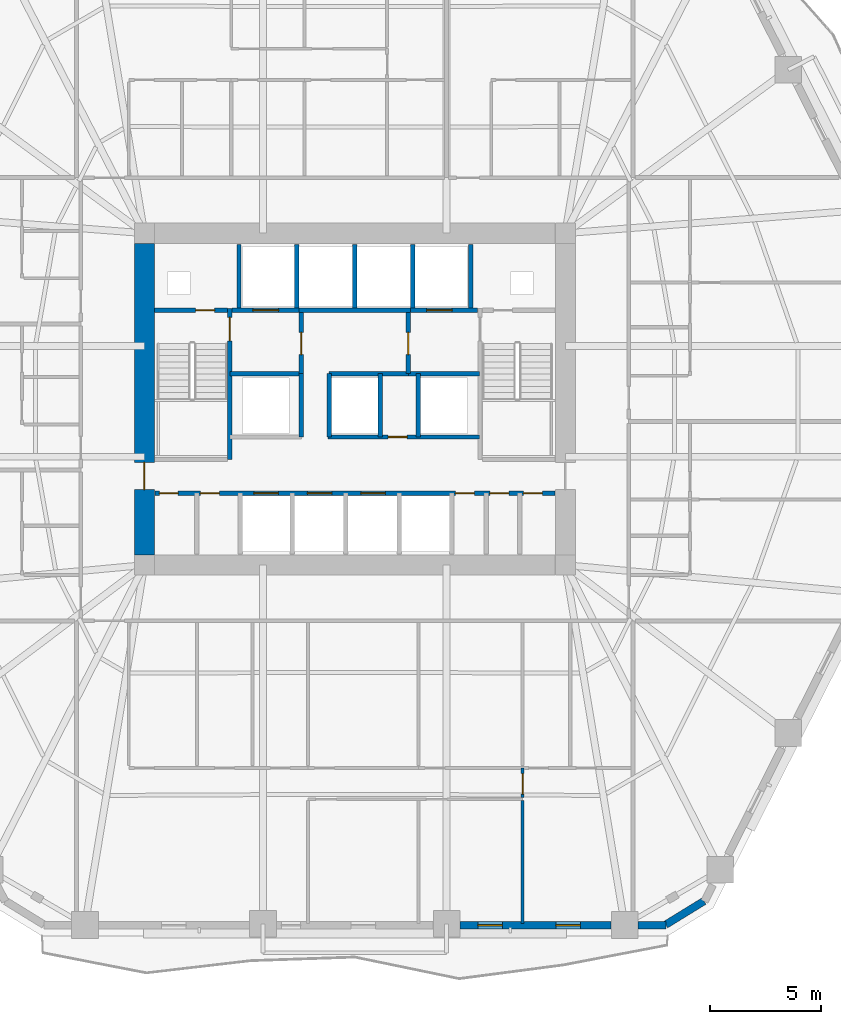
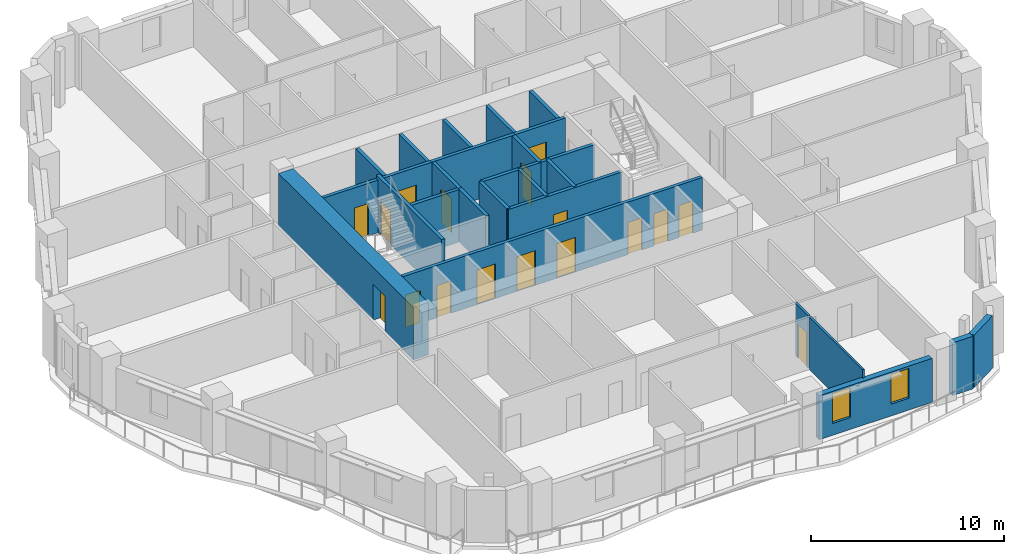
# One storey, part 5 of 14: 27 walls, 17 doors, 2 windows, 19 openings.
"""IFC4 building model written with IfcOpenShell, lengths in metres."""

from ifc_helpers import new_model, si_unit, direction, frame, frame_2d, origin, place, context, subcontext, project, spatial, rectangle, extrude, material, layer, layer_set, type_object, element, fill, save


model = new_model("IFC4")

# Units and contexts
model_context = context("Model", 3, precision=1e-05, world=origin(), true_north=direction((0.0, 1.0)))
body_context = subcontext(model_context, "Body", "Model", "MODEL_VIEW")
ifc_project = project(units=[si_unit("LENGTHUNIT", "METRE"), si_unit("AREAUNIT", "SQUARE_METRE"), si_unit("VOLUMEUNIT", "CUBIC_METRE"), si_unit("PLANEANGLEUNIT", "RADIAN"), si_unit("MASSUNIT", "GRAM", prefix="KILO")], contexts=[model_context])

# Site, building, storey
site_placement = place(None, origin())
site = spatial("IfcSite", under=ifc_project, at=site_placement, CompositionType="ELEMENT")
building_placement = place(site_placement, origin())
building = spatial("IfcBuilding", under=site, at=building_placement, Name="Cinnabar Lancet Tower", CompositionType="ELEMENT")
storey_placement = place(building_placement, frame((0.0, 0.0, 67.5)))
storey = spatial("IfcBuildingStorey", under=building, at=storey_placement, Name="L17", CompositionType="ELEMENT", Elevation=67.5)

# Wall, opening, door
ifc_material_1 = material(Name="Autoclaved aerated concrete blockwork", Category="masonry")
ifc_layer_1 = layer(ifc_material_1, 0.199951171875)
ifc_layer_set_1 = layer_set([ifc_layer_1], Name="Autoclaved aerated concrete blockwork")
wall_type_1 = type_object("IfcWallType", Name="ARC-WL-SHAFT-200", PredefinedType="PLUMBINGWALL", material=ifc_layer_set_1)
wall_1_placement = place(storey_placement, frame((23.405029296875, 29.89990234375, 0.0), z_axis=(0.0, 0.0, 1.0), x_axis=(1.0, 0.0, 0.0)))
wall_1 = element("IfcWall", 1, at=wall_1_placement, inside=storey, type_object=wall_type_1, Name="CW-NSH-W-L17", PredefinedType="PLUMBINGWALL", context=body_context, shape_type="SweptSolid", body=[
    extrude(rectangle(XDim=3.27001953125, YDim=0.199951171875, at=frame_2d((1.635009765625, 0.0))), origin(), (0.0, 0.0, 1.0), 3.330078125),
])
opening_1_placement = place(wall_1_placement, frame((1.85009765625, 0.0, 0.0)))
opening_1 = element("IfcOpeningElement", 2, at=opening_1_placement, cuts=wall_1, Name="Opening PD-02", PredefinedType="OPENING", context=body_context, shape_type="SweptSolid", body=[
    extrude(rectangle(XDim=0.85009765625, YDim=2.050048828125, at=frame_2d((0.425048828125, 1.02490234375))), frame((0.0, 0.10986328125, 0.0), z_axis=(0.0, -1.0, 0.0), x_axis=(1.0, 0.0, 0.0)), (0.0, 0.0, 1.0), 0.219970703125),
])
ifc_material_2 = material(Name="Fire-rated steel riser access door", Category="steel")
door_type_1 = type_object("IfcDoorType", Name="ARC-DR-RISER", OperationType="NOTDEFINED", PredefinedType="DOOR", material=ifc_material_2)
door_1_placement = place(opening_1_placement, origin())
door_1 = element("IfcDoor", 3, at=door_1_placement, inside=storey, type_object=door_type_1, Name="L17 West Riser Access Door", OperationType="SINGLE_SWING_LEFT", OverallHeight=2.050048828125, OverallWidth=0.85009765625, PredefinedType="DOOR", context=body_context, shape_type="SweptSolid", body=[
    extrude(rectangle(XDim=0.85009765625, YDim=2.050048828125, at=frame_2d((0.425048828125, 1.02490234375))), frame((0.0, 0.02490234375, 0.0), z_axis=(0.0, -1.0, 0.0), x_axis=(1.0, 0.0, 0.0)), (0.0, 0.0, 1.0), 0.050048828125),
])
fill(opening_1, door_1)

wall_2_placement = place(storey_placement, frame((26.885009765625, 29.89990234375, 0.0), z_axis=(0.0, 0.0, 1.0), x_axis=(1.0, 0.0, 0.0)))
wall_2 = element("IfcWall", 4, at=wall_2_placement, inside=storey, type_object=wall_type_1, Name="CW-FL1-L17", PredefinedType="PLUMBINGWALL", context=body_context, shape_type="SweptSolid", body=[
    extrude(rectangle(XDim=3.014892578125, YDim=0.199951171875, at=frame_2d((1.50732421875, 0.0))), origin(), (0.0, 0.0, 1.0), 3.330078125),
])
opening_2_placement = place(wall_2_placement, frame((0.93994140625, 0.0, 0.0)))
opening_2 = element("IfcOpeningElement", 5, at=opening_2_placement, cuts=wall_2, Name="Opening LD-02", PredefinedType="OPENING", context=body_context, shape_type="SweptSolid", body=[
    extrude(rectangle(XDim=1.14990234375, YDim=2.199951171875, at=frame_2d((0.574951171875, 1.10009765625))), frame((0.0, 0.10986328125, 0.0), z_axis=(0.0, -1.0, 0.0), x_axis=(1.0, 0.0, 0.0)), (0.0, 0.0, 1.0), 0.219970703125),
])
ifc_material_3 = material(Name="Fire-rated stainless steel firefighting lift landing door", Category="steel")
door_type_2 = type_object("IfcDoorType", Name="ARC-DR-LD-FIRE", OperationType="NOTDEFINED", PredefinedType="DOOR", material=ifc_material_3)
door_2_placement = place(opening_2_placement, origin())
door_2 = element("IfcDoor", 6, at=door_2_placement, inside=storey, type_object=door_type_2, Name="L17 Firefighting Lift FL-1 Landing Door", OperationType="DOUBLE_DOOR_SLIDING", OverallHeight=2.199951171875, OverallWidth=1.14990234375, PredefinedType="DOOR", context=body_context, shape_type="SweptSolid", body=[
    extrude(rectangle(XDim=1.14990234375, YDim=2.199951171875, at=frame_2d((0.574951171875, 1.10009765625))), frame((0.0, 0.02490234375, 0.0), z_axis=(0.0, -1.0, 0.0), x_axis=(1.0, 0.0, 0.0)), (0.0, 0.0, 1.0), 0.050048828125),
])
fill(opening_2, door_2)

# Wall
wall_3_placement = place(storey_placement, frame((29.89990234375, 29.89990234375, 0.0), z_axis=(0.0, 0.0, 1.0), x_axis=(1.0, 0.0, 0.0)))
element("IfcWall", 7, at=wall_3_placement, inside=storey, type_object=wall_type_1, Name="CW-PL78-L17", PredefinedType="PLUMBINGWALL", context=body_context, shape_type="SweptSolid", body=[
    extrude(rectangle(XDim=5.0, YDim=0.199951171875, at=frame_2d((2.5, 0.0))), origin(), (0.0, 0.0, 1.0), 3.330078125),
])

# Wall, opening, door
wall_4_placement = place(storey_placement, frame((34.89990234375, 29.89990234375, 0.0), z_axis=(0.0, 0.0, 1.0), x_axis=(1.0, 0.0, 0.0)))
wall_4 = element("IfcWall", 8, at=wall_4_placement, inside=storey, type_object=wall_type_1, Name="CW-FL2-L17", PredefinedType="PLUMBINGWALL", context=body_context, shape_type="SweptSolid", body=[
    extrude(rectangle(XDim=3.01513671875, YDim=0.199951171875, at=frame_2d((1.507568359375, 0.0))), origin(), (0.0, 0.0, 1.0), 3.330078125),
])
opening_3_placement = place(wall_4_placement, frame((0.72509765625, 0.0, 0.0)))
opening_3 = element("IfcOpeningElement", 9, at=opening_3_placement, cuts=wall_4, Name="Opening LD-02", PredefinedType="OPENING", context=body_context, shape_type="SweptSolid", body=[
    extrude(rectangle(XDim=1.14990234375, YDim=2.199951171875, at=frame_2d((0.574951171875, 1.10009765625))), frame((0.0, 0.10986328125, 0.0), z_axis=(0.0, -1.0, 0.0), x_axis=(1.0, 0.0, 0.0)), (0.0, 0.0, 1.0), 0.219970703125),
])
door_3_placement = place(opening_3_placement, origin())
door_3 = element("IfcDoor", 10, at=door_3_placement, inside=storey, type_object=door_type_2, Name="L17 Firefighting Lift FL-2 Landing Door", OperationType="DOUBLE_DOOR_SLIDING", OverallHeight=2.199951171875, OverallWidth=1.14990234375, PredefinedType="DOOR", context=body_context, shape_type="SweptSolid", body=[
    extrude(rectangle(XDim=1.14990234375, YDim=2.199951171875, at=frame_2d((0.574951171875, 1.10009765625))), frame((0.0, 0.02490234375, 0.0), z_axis=(0.0, -1.0, 0.0), x_axis=(1.0, 0.0, 0.0)), (0.0, 0.0, 1.0), 0.050048828125),
])
fill(opening_3, door_3)

# Walls
for number, where, z_axis, x_axis, name in (
    (11, (27.199951171875, 30.0, 0.0), (0.0, 0.0, 1.0), (0.0, 1.0, 0.0), "CW-NSH-D1-L17"),
    (12, (29.800048828125, 30.0, 0.0), (0.0, 0.0, 1.0), (0.0, 1.0, 0.0), "CW-NSH-D2-L17"),
    (13, (32.39990234375, 30.0, 0.0), (0.0, 0.0, 1.0), (0.0, 1.0, 0.0), "CW-NSH-D3-L17"),
    (14, (35.0, 30.0, 0.0), (0.0, 0.0, 1.0), (0.0, 1.0, 0.0), "CW-NSH-D4-L17"),
    (15, (37.60009765625, 30.0, 0.0), (0.0, 0.0, 1.0), (0.0, 1.0, 0.0), "CW-NSH-D5-L17"),
):
    element("IfcWall", number, at=place(storey_placement, frame(where, z_axis=z_axis, x_axis=x_axis)), inside=storey, type_object=wall_type_1, Name=name, PredefinedType="PLUMBINGWALL", context=body_context, shape_type="SweptSolid", body=[
        extrude(rectangle(XDim=2.85009765625, YDim=0.199951171875, at=frame_2d((1.425048828125, 0.0))), origin(), (0.0, 0.0, 1.0), 3.330078125),
    ])

# Wall, opening, door
wall_5_placement = place(storey_placement, frame((30.0, 27.050048828125, 0.0), z_axis=(0.0, 0.0, 1.0), x_axis=(0.0, 1.0, 0.0)))
wall_5 = element("IfcWall", 16, at=wall_5_placement, inside=storey, type_object=wall_type_1, Name="CW-FF1E-L17", PredefinedType="PLUMBINGWALL", context=body_context, shape_type="SweptSolid", body=[
    extrude(rectangle(XDim=2.75, YDim=0.199951171875, at=frame_2d((1.375, 0.0))), origin(), (0.0, 0.0, 1.0), 3.330078125),
])
opening_4_placement = place(wall_5_placement, frame((0.85009765625, 0.0, 0.0)))
opening_4 = element("IfcOpeningElement", 17, at=opening_4_placement, cuts=wall_5, Name="Opening FD-01", PredefinedType="OPENING", context=body_context, shape_type="SweptSolid", body=[
    extrude(rectangle(XDim=1.0, YDim=2.14990234375, at=frame_2d((0.5, 1.074951171875))), frame((0.0, 0.10986328125, 0.0), z_axis=(0.0, -1.0, 0.0), x_axis=(1.0, 0.0, 0.0)), (0.0, 0.0, 1.0), 0.219970703125),
])
ifc_material_4 = material(Name="Fire-rated timber-core lobby door", Category="wood")
door_type_3 = type_object("IfcDoorType", Name="ARC-DR-FFAL", OperationType="NOTDEFINED", PredefinedType="DOOR", material=ifc_material_4)
door_4_placement = place(opening_4_placement, origin())
door_4 = element("IfcDoor", 18, at=door_4_placement, inside=storey, type_object=door_type_3, Name="L17 FFAL-1 Lobby Fire Door", OperationType="SINGLE_SWING_RIGHT", OverallHeight=2.14990234375, OverallWidth=1.0, PredefinedType="DOOR", context=body_context, shape_type="SweptSolid", body=[
    extrude(rectangle(XDim=1.0, YDim=2.14990234375, at=frame_2d((0.5, 1.074951171875))), frame((0.0, 0.02490234375, 0.0), z_axis=(0.0, -1.0, 0.0), x_axis=(1.0, 0.0, 0.0)), (0.0, 0.0, 1.0), 0.050048828125),
])
fill(opening_4, door_4)

# Wall
wall_6_placement = place(storey_placement, frame((26.800048828125, 27.050048828125, 0.0), z_axis=(0.0, 0.0, 1.0), x_axis=(1.0, 0.0, 0.0)))
element("IfcWall", 19, at=wall_6_placement, inside=storey, type_object=wall_type_1, Name="CW-FF1S-L17", PredefinedType="PLUMBINGWALL", context=body_context, shape_type="SweptSolid", body=[
    extrude(rectangle(XDim=3.199951171875, YDim=0.199951171875, at=frame_2d((1.60009765625, 0.0))), origin(), (0.0, 0.0, 1.0), 3.330078125),
])

# Wall, opening, door
wall_7_placement = place(storey_placement, frame((34.800048828125, 27.050048828125, 0.0), z_axis=(0.0, 0.0, 1.0), x_axis=(0.0, 1.0, 0.0)))
wall_7 = element("IfcWall", 20, at=wall_7_placement, inside=storey, type_object=wall_type_1, Name="CW-FF2W-L17", PredefinedType="PLUMBINGWALL", context=body_context, shape_type="SweptSolid", body=[
    extrude(rectangle(XDim=2.75, YDim=0.199951171875, at=frame_2d((1.375, 0.0))), origin(), (0.0, 0.0, 1.0), 3.330078125),
])
opening_5_placement = place(wall_7_placement, frame((0.85009765625, 0.0, 0.0)))
opening_5 = element("IfcOpeningElement", 21, at=opening_5_placement, cuts=wall_7, Name="Opening FD-01", PredefinedType="OPENING", context=body_context, shape_type="SweptSolid", body=[
    extrude(rectangle(XDim=1.0, YDim=2.14990234375, at=frame_2d((0.5, 1.074951171875))), frame((0.0, 0.10986328125, 0.0), z_axis=(0.0, -1.0, 0.0), x_axis=(1.0, 0.0, 0.0)), (0.0, 0.0, 1.0), 0.219970703125),
])
door_5_placement = place(opening_5_placement, origin())
door_5 = element("IfcDoor", 22, at=door_5_placement, inside=storey, type_object=door_type_3, Name="L17 FFAL-2 Lobby Fire Door", OperationType="SINGLE_SWING_LEFT", OverallHeight=2.14990234375, OverallWidth=1.0, PredefinedType="DOOR", context=body_context, shape_type="SweptSolid", body=[
    extrude(rectangle(XDim=1.0, YDim=2.14990234375, at=frame_2d((0.5, 1.074951171875))), frame((0.0, 0.02490234375, 0.0), z_axis=(0.0, -1.0, 0.0), x_axis=(1.0, 0.0, 0.0)), (0.0, 0.0, 1.0), 0.050048828125),
])
fill(opening_5, door_5)

# Walls
wall_8_placement = place(storey_placement, frame((34.800048828125, 27.050048828125, 0.0), z_axis=(0.0, 0.0, 1.0), x_axis=(1.0, 0.0, 0.0)))
element("IfcWall", 23, at=wall_8_placement, inside=storey, type_object=wall_type_1, Name="CW-FF2S-L17", PredefinedType="PLUMBINGWALL", context=body_context, shape_type="SweptSolid", body=[
    extrude(rectangle(XDim=3.199951171875, YDim=0.199951171875, at=frame_2d((1.60009765625, 0.0))), origin(), (0.0, 0.0, 1.0), 3.330078125),
])
wall_9_placement = place(storey_placement, frame((30.0, 24.199951171875, 0.0), z_axis=(0.0, 0.0, 1.0), x_axis=(0.0, 1.0, 0.0)))
element("IfcWall", 24, at=wall_9_placement, inside=storey, type_object=wall_type_1, Name="CW-PL5E-L17", PredefinedType="PLUMBINGWALL", context=body_context, shape_type="SweptSolid", body=[
    extrude(rectangle(XDim=2.85009765625, YDim=0.199951171875, at=frame_2d((1.425048828125, 0.0))), origin(), (0.0, 0.0, 1.0), 3.330078125),
])

# Wall, opening, door
wall_10_placement = place(storey_placement, frame((31.199951171875, 24.199951171875, 0.0), z_axis=(0.0, 0.0, 1.0), x_axis=(1.0, 0.0, 0.0)))
wall_10 = element("IfcWall", 25, at=wall_10_placement, inside=storey, type_object=wall_type_1, Name="CW-PL96S-L17", PredefinedType="PLUMBINGWALL", context=body_context, shape_type="SweptSolid", body=[
    extrude(rectangle(XDim=6.800048828125, YDim=0.199951171875, at=frame_2d((3.39990234375, 0.0))), origin(), (0.0, 0.0, 1.0), 3.330078125),
])
opening_6_placement = place(wall_10_placement, frame((2.699951171875, 0.0, 0.0)))
opening_6 = element("IfcOpeningElement", 26, at=opening_6_placement, cuts=wall_10, Name="Opening PD-02", PredefinedType="OPENING", context=body_context, shape_type="SweptSolid", body=[
    extrude(rectangle(XDim=0.85009765625, YDim=2.050048828125, at=frame_2d((0.425048828125, 1.02490234375))), frame((0.0, 0.10986328125, 0.0), z_axis=(0.0, -1.0, 0.0), x_axis=(1.0, 0.0, 0.0)), (0.0, 0.0, 1.0), 0.219970703125),
])
door_6_placement = place(opening_6_placement, origin())
door_6 = element("IfcDoor", 27, at=door_6_placement, inside=storey, type_object=door_type_1, Name="L17 BMS Closet Door", OperationType="SINGLE_SWING_LEFT", OverallHeight=2.050048828125, OverallWidth=0.85009765625, PredefinedType="DOOR", context=body_context, shape_type="SweptSolid", body=[
    extrude(rectangle(XDim=0.85009765625, YDim=2.050048828125, at=frame_2d((0.425048828125, 1.02490234375))), frame((0.0, 0.02490234375, 0.0), z_axis=(0.0, -1.0, 0.0), x_axis=(1.0, 0.0, 0.0)), (0.0, 0.0, 1.0), 0.050048828125),
])
fill(opening_6, door_6)

# Walls
for number, where, z_axis, x_axis, name in (
    (28, (31.25, 24.199951171875, 0.0), (0.0, 0.0, 1.0), (0.0, 1.0, 0.0), "CW-PL9W-L17"),
    (29, (33.550048828125, 24.199951171875, 0.0), (0.0, 0.0, 1.0), (0.0, 1.0, 0.0), "CW-PL9E-L17"),
    (30, (35.25, 24.199951171875, 0.0), (0.0, 0.0, 1.0), (0.0, 1.0, 0.0), "CW-PL6W-L17"),
):
    element("IfcWall", number, at=place(storey_placement, frame(where, z_axis=z_axis, x_axis=x_axis)), inside=storey, type_object=wall_type_1, Name=name, PredefinedType="PLUMBINGWALL", context=body_context, shape_type="SweptSolid", body=[
        extrude(rectangle(XDim=2.85009765625, YDim=0.199951171875, at=frame_2d((1.425048828125, 0.0))), origin(), (0.0, 0.0, 1.0), 3.330078125),
    ])
wall_11_placement = place(storey_placement, frame((31.25, 27.050048828125, 0.0), z_axis=(0.0, 0.0, 1.0), x_axis=(1.0, 0.0, 0.0)))
element("IfcWall", 31, at=wall_11_placement, inside=storey, type_object=wall_type_1, Name="CW-PL96N-L17", PredefinedType="PLUMBINGWALL", context=body_context, shape_type="SweptSolid", body=[
    extrude(rectangle(XDim=3.550048828125, YDim=0.199951171875, at=frame_2d((1.77490234375, 0.0))), origin(), (0.0, 0.0, 1.0), 3.330078125),
])

# Wall, openings, doors
wall_12_placement = place(storey_placement, frame((23.419921875, 21.679931640625, 0.0), z_axis=(0.0, 0.0, 1.0), x_axis=(1.0, 0.0, 0.0)))
wall_12 = element("IfcWall", 32, at=wall_12_placement, inside=storey, type_object=wall_type_1, Name="CW-SBANDN-L17", PredefinedType="PLUMBINGWALL", context=body_context, shape_type="SweptSolid", body=[
    extrude(rectangle(XDim=17.9599609375, YDim=0.199951171875, at=frame_2d((8.97998046875, 0.0))), origin(), (0.0, 0.0, 1.0), 3.330078125),
])
opening_7_placement = place(wall_12_placement, frame((4.449951171875, 0.0, 0.0)))
opening_7 = element("IfcOpeningElement", 33, at=opening_7_placement, cuts=wall_12, Name="Opening LD-01", PredefinedType="OPENING", context=body_context, shape_type="SweptSolid", body=[
    extrude(rectangle(XDim=1.10009765625, YDim=2.199951171875, at=frame_2d((0.550048828125, 1.10009765625))), frame((0.0, 0.10986328125, 0.0), z_axis=(0.0, -1.0, 0.0), x_axis=(1.0, 0.0, 0.0)), (0.0, 0.0, 1.0), 0.219970703125),
])
opening_8_placement = place(wall_12_placement, frame((6.85009765625, 0.0, 0.0)))
opening_8 = element("IfcOpeningElement", 34, at=opening_8_placement, cuts=wall_12, Name="Opening LD-01", PredefinedType="OPENING", context=body_context, shape_type="SweptSolid", body=[
    extrude(rectangle(XDim=1.10009765625, YDim=2.199951171875, at=frame_2d((0.550048828125, 1.10009765625))), frame((0.0, 0.10986328125, 0.0), z_axis=(0.0, -1.0, 0.0), x_axis=(1.0, 0.0, 0.0)), (0.0, 0.0, 1.0), 0.219970703125),
])
opening_9_placement = place(wall_12_placement, frame((9.25, 0.0, 0.0)))
opening_9 = element("IfcOpeningElement", 35, at=opening_9_placement, cuts=wall_12, Name="Opening LD-01", PredefinedType="OPENING", context=body_context, shape_type="SweptSolid", body=[
    extrude(rectangle(XDim=1.10009765625, YDim=2.199951171875, at=frame_2d((0.550048828125, 1.10009765625))), frame((0.0, 0.10986328125, 0.0), z_axis=(0.0, -1.0, 0.0), x_axis=(1.0, 0.0, 0.0)), (0.0, 0.0, 1.0), 0.219970703125),
])
opening_10_placement = place(wall_12_placement, frame((0.199951171875, 0.0, 0.0)))
opening_10 = element("IfcOpeningElement", 36, at=opening_10_placement, cuts=wall_12, Name="Opening PD-02", PredefinedType="OPENING", context=body_context, shape_type="SweptSolid", body=[
    extrude(rectangle(XDim=0.85009765625, YDim=2.050048828125, at=frame_2d((0.425048828125, 1.02490234375))), frame((0.0, 0.10986328125, 0.0), z_axis=(0.0, -1.0, 0.0), x_axis=(1.0, 0.0, 0.0)), (0.0, 0.0, 1.0), 0.219970703125),
])
opening_11_placement = place(wall_12_placement, frame((2.050048828125, 0.0, 0.0)))
opening_11 = element("IfcOpeningElement", 37, at=opening_11_placement, cuts=wall_12, Name="Opening PD-02", PredefinedType="OPENING", context=body_context, shape_type="SweptSolid", body=[
    extrude(rectangle(XDim=0.85009765625, YDim=2.050048828125, at=frame_2d((0.425048828125, 1.02490234375))), frame((0.0, 0.10986328125, 0.0), z_axis=(0.0, -1.0, 0.0), x_axis=(1.0, 0.0, 0.0)), (0.0, 0.0, 1.0), 0.219970703125),
])
opening_12_placement = place(wall_12_placement, frame((13.5, 0.0, 0.0)))
opening_12 = element("IfcOpeningElement", 38, at=opening_12_placement, cuts=wall_12, Name="Opening PD-02", PredefinedType="OPENING", context=body_context, shape_type="SweptSolid", body=[
    extrude(rectangle(XDim=0.85009765625, YDim=2.050048828125, at=frame_2d((0.425048828125, 1.02490234375))), frame((0.0, 0.10986328125, 0.0), z_axis=(0.0, -1.0, 0.0), x_axis=(1.0, 0.0, 0.0)), (0.0, 0.0, 1.0), 0.219970703125),
])
opening_13_placement = place(wall_12_placement, frame((15.050048828125, 0.0, 0.0)))
opening_13 = element("IfcOpeningElement", 39, at=opening_13_placement, cuts=wall_12, Name="Opening PD-02", PredefinedType="OPENING", context=body_context, shape_type="SweptSolid", body=[
    extrude(rectangle(XDim=0.85009765625, YDim=2.050048828125, at=frame_2d((0.425048828125, 1.02490234375))), frame((0.0, 0.10986328125, 0.0), z_axis=(0.0, -1.0, 0.0), x_axis=(1.0, 0.0, 0.0)), (0.0, 0.0, 1.0), 0.219970703125),
])
opening_14_placement = place(wall_12_placement, frame((16.550048828125, 0.0, 0.0)))
opening_14 = element("IfcOpeningElement", 40, at=opening_14_placement, cuts=wall_12, Name="Opening PD-02", PredefinedType="OPENING", context=body_context, shape_type="SweptSolid", body=[
    extrude(rectangle(XDim=0.85009765625, YDim=2.050048828125, at=frame_2d((0.425048828125, 1.02490234375))), frame((0.0, 0.10986328125, 0.0), z_axis=(0.0, -1.0, 0.0), x_axis=(1.0, 0.0, 0.0)), (0.0, 0.0, 1.0), 0.219970703125),
])
ifc_material_5 = material(Name="Brushed stainless steel sliding lift door", Category="steel")
door_type_4 = type_object("IfcDoorType", Name="ARC-DR-LD-PASS", OperationType="NOTDEFINED", PredefinedType="DOOR", material=ifc_material_5)
door_7_placement = place(opening_7_placement, origin())
door_7 = element("IfcDoor", 41, at=door_7_placement, inside=storey, type_object=door_type_4, Name="L17 Lift PL-1 Landing Door", OperationType="DOUBLE_DOOR_SLIDING", OverallHeight=2.199951171875, OverallWidth=1.10009765625, PredefinedType="DOOR", context=body_context, shape_type="SweptSolid", body=[
    extrude(rectangle(XDim=1.10009765625, YDim=2.199951171875, at=frame_2d((0.550048828125, 1.10009765625))), frame((0.0, 0.02490234375, 0.0), z_axis=(0.0, -1.0, 0.0), x_axis=(1.0, 0.0, 0.0)), (0.0, 0.0, 1.0), 0.050048828125),
])
fill(opening_7, door_7)
door_8_placement = place(opening_8_placement, origin())
door_8 = element("IfcDoor", 42, at=door_8_placement, inside=storey, type_object=door_type_4, Name="L17 Lift PL-2 Landing Door", OperationType="DOUBLE_DOOR_SLIDING", OverallHeight=2.199951171875, OverallWidth=1.10009765625, PredefinedType="DOOR", context=body_context, shape_type="SweptSolid", body=[
    extrude(rectangle(XDim=1.10009765625, YDim=2.199951171875, at=frame_2d((0.550048828125, 1.10009765625))), frame((0.0, 0.02490234375, 0.0), z_axis=(0.0, -1.0, 0.0), x_axis=(1.0, 0.0, 0.0)), (0.0, 0.0, 1.0), 0.050048828125),
])
fill(opening_8, door_8)
door_9_placement = place(opening_9_placement, origin())
door_9 = element("IfcDoor", 43, at=door_9_placement, inside=storey, type_object=door_type_4, Name="L17 Lift PL-3 Landing Door", OperationType="DOUBLE_DOOR_SLIDING", OverallHeight=2.199951171875, OverallWidth=1.10009765625, PredefinedType="DOOR", context=body_context, shape_type="SweptSolid", body=[
    extrude(rectangle(XDim=1.10009765625, YDim=2.199951171875, at=frame_2d((0.550048828125, 1.10009765625))), frame((0.0, 0.02490234375, 0.0), z_axis=(0.0, -1.0, 0.0), x_axis=(1.0, 0.0, 0.0)), (0.0, 0.0, 1.0), 0.050048828125),
])
fill(opening_9, door_9)
door_10_placement = place(opening_10_placement, origin())
door_10 = element("IfcDoor", 44, at=door_10_placement, inside=storey, type_object=door_type_1, Name="DR-L17-SC2-1", OperationType="SINGLE_SWING_LEFT", OverallHeight=2.050048828125, OverallWidth=0.85009765625, PredefinedType="DOOR", context=body_context, shape_type="SweptSolid", body=[
    extrude(rectangle(XDim=0.85009765625, YDim=2.050048828125, at=frame_2d((0.425048828125, 1.02490234375))), frame((0.0, 0.02490234375, 0.0), z_axis=(0.0, -1.0, 0.0), x_axis=(1.0, 0.0, 0.0)), (0.0, 0.0, 1.0), 0.050048828125),
])
fill(opening_10, door_10)
door_11_placement = place(opening_11_placement, origin())
door_11 = element("IfcDoor", 45, at=door_11_placement, inside=storey, type_object=door_type_1, Name="DR-L17-SC2-2", OperationType="SINGLE_SWING_RIGHT", OverallHeight=2.050048828125, OverallWidth=0.85009765625, PredefinedType="DOOR", context=body_context, shape_type="SweptSolid", body=[
    extrude(rectangle(XDim=0.85009765625, YDim=2.050048828125, at=frame_2d((0.425048828125, 1.02490234375))), frame((0.0, 0.02490234375, 0.0), z_axis=(0.0, -1.0, 0.0), x_axis=(1.0, 0.0, 0.0)), (0.0, 0.0, 1.0), 0.050048828125),
])
fill(opening_11, door_11)
door_12_placement = place(opening_12_placement, origin())
door_12 = element("IfcDoor", 46, at=door_12_placement, inside=storey, type_object=door_type_1, Name="DR-L17-SC2-3", OperationType="SINGLE_SWING_LEFT", OverallHeight=2.050048828125, OverallWidth=0.85009765625, PredefinedType="DOOR", context=body_context, shape_type="SweptSolid", body=[
    extrude(rectangle(XDim=0.85009765625, YDim=2.050048828125, at=frame_2d((0.425048828125, 1.02490234375))), frame((0.0, 0.02490234375, 0.0), z_axis=(0.0, -1.0, 0.0), x_axis=(1.0, 0.0, 0.0)), (0.0, 0.0, 1.0), 0.050048828125),
])
fill(opening_12, door_12)
door_13_placement = place(opening_13_placement, origin())
door_13 = element("IfcDoor", 47, at=door_13_placement, inside=storey, type_object=door_type_1, Name="DR-L17-SC2-4", OperationType="SINGLE_SWING_RIGHT", OverallHeight=2.050048828125, OverallWidth=0.85009765625, PredefinedType="DOOR", context=body_context, shape_type="SweptSolid", body=[
    extrude(rectangle(XDim=0.85009765625, YDim=2.050048828125, at=frame_2d((0.425048828125, 1.02490234375))), frame((0.0, 0.02490234375, 0.0), z_axis=(0.0, -1.0, 0.0), x_axis=(1.0, 0.0, 0.0)), (0.0, 0.0, 1.0), 0.050048828125),
])
fill(opening_13, door_13)
door_14_placement = place(opening_14_placement, origin())
door_14 = element("IfcDoor", 48, at=door_14_placement, inside=storey, type_object=door_type_1, Name="DR-L17-SC2-5", OperationType="SINGLE_SWING_LEFT", OverallHeight=2.050048828125, OverallWidth=0.85009765625, PredefinedType="DOOR", context=body_context, shape_type="SweptSolid", body=[
    extrude(rectangle(XDim=0.85009765625, YDim=2.050048828125, at=frame_2d((0.425048828125, 1.02490234375))), frame((0.0, 0.02490234375, 0.0), z_axis=(0.0, -1.0, 0.0), x_axis=(1.0, 0.0, 0.0)), (0.0, 0.0, 1.0), 0.050048828125),
])
fill(opening_14, door_14)

# Wall, opening, door
ifc_material_6 = material(Name="Gypsum plasterboard stud partition", Category="gypsum")
ifc_layer_2 = layer(ifc_material_6, 0.125)
ifc_layer_set_2 = layer_set([ifc_layer_2], Name="Gypsum plasterboard stud partition")
wall_type_2 = type_object("IfcWallType", Name="ARC-WL-UNIT-125", PredefinedType="PARTITIONING", material=ifc_layer_set_2)
wall_13_placement = place(storey_placement, frame((39.93505859375, 8.007080078125, 0.0), z_axis=(0.0, 0.0, 1.0), x_axis=(0.0, 1.0, 0.0)))
wall_13 = element("IfcWall", 49, at=wall_13_placement, inside=storey, type_object=wall_type_2, Name="UW-L17-S01-MBE", PredefinedType="PARTITIONING", context=body_context, shape_type="SweptSolid", body=[
    extrude(rectangle(XDim=1.329833984375, YDim=0.125, at=frame_2d((0.6650390625, 0.0))), origin(), (0.0, 0.0, 1.0), 3.330078125),
])
opening_15_placement = place(wall_13_placement, frame((0.159912109375, 0.0, 0.0)))
opening_15 = element("IfcOpeningElement", 50, at=opening_15_placement, cuts=wall_13, Name="Opening RD-01", PredefinedType="OPENING", context=body_context, shape_type="SweptSolid", body=[
    extrude(rectangle(XDim=0.919921875, YDim=2.14990234375, at=frame_2d((0.4599609375, 1.074951171875))), frame((0.0, 0.072509765625, 0.0), z_axis=(0.0, -1.0, 0.0), x_axis=(1.0, 0.0, 0.0)), (0.0, 0.0, 1.0), 0.14501953125),
])
ifc_material_7 = material(Name="Engineered timber bedroom door", Category="wood")
door_type_5 = type_object("IfcDoorType", Name="ARC-DR-ROOM", OperationType="NOTDEFINED", PredefinedType="DOOR", material=ifc_material_7)
door_15_placement = place(opening_15_placement, origin())
door_15 = element("IfcDoor", 51, at=door_15_placement, inside=storey, type_object=door_type_5, Name="DR-L17-S01-MBD", OperationType="SINGLE_SWING_RIGHT", OverallHeight=2.14990234375, OverallWidth=0.919921875, PredefinedType="DOOR", context=body_context, shape_type="SweptSolid", body=[
    extrude(rectangle(XDim=0.919921875, YDim=2.14990234375, at=frame_2d((0.4599609375, 1.074951171875))), frame((0.0, 0.02490234375, 0.0), z_axis=(0.0, -1.0, 0.0), x_axis=(1.0, 0.0, 0.0)), (0.0, 0.0, 1.0), 0.050048828125),
])
fill(opening_15, door_15)

# Walls
wall_14_placement = place(storey_placement, frame((39.93505859375, 2.364990234375, 0.0), z_axis=(0.0, 0.0, 1.0), x_axis=(0.0, 1.0, 0.0)))
element("IfcWall", 52, at=wall_14_placement, inside=storey, type_object=wall_type_2, Name="UW-L17-S01-B23W", PredefinedType="PARTITIONING", context=body_context, shape_type="SweptSolid", body=[
    extrude(rectangle(XDim=5.507080078125, YDim=0.125, at=frame_2d((2.75341796875, 0.0))), origin(), (0.0, 0.0, 1.0), 3.330078125),
])
ifc_material_8 = material(Name="Cinnabar red clay brick", Category="masonry")
ifc_layer_3 = layer(ifc_material_8, 0.340087890625)
ifc_layer_set_3 = layer_set([ifc_layer_3], Name="Cinnabar red clay brick")
wall_type_3 = type_object("IfcWallType", Name="ENV-WL-BRK-RED-340", PredefinedType="STANDARD", material=ifc_layer_set_3)
wall_15_placement = place(storey_placement, frame((46.361083984375, 2.304931640625, 0.0), z_axis=(0.0, 0.0, 1.0), x_axis=(0.851816122478, 0.523840904748, 0.0)))
element("IfcWall", 53, at=wall_15_placement, inside=storey, type_object=wall_type_3, Name="L17 Chamfered Corner Brick Pier 2.1", PredefinedType="STANDARD", context=body_context, shape_type="SweptSolid", body=[
    extrude(rectangle(XDim=2.01806640625, YDim=0.340087890625, at=frame_2d((1.009033203125, 0.0))), origin(), (0.0, 0.0, 1.0), 3.330078125),
])

# Wall, openings, windows
wall_16_placement = place(storey_placement, frame((37.1259765625, 2.280029296875, 0.0), z_axis=(0.0, 0.0, 1.0), x_axis=(1.0, 0.0, 0.0)))
wall_16 = element("IfcWall", 54, at=wall_16_placement, inside=storey, type_object=wall_type_3, Name="L17 Face 1 Masonry Bay Wall 4", PredefinedType="STANDARD", context=body_context, shape_type="SweptSolid", body=[
    extrude(rectangle(XDim=6.787109375, YDim=0.340087890625, at=frame_2d((3.3935546875, 0.0))), origin(), (0.0, 0.0, 1.0), 2.787109375),
])
opening_16_placement = place(wall_16_placement, frame((0.798095703125, 0.0, 0.75)))
opening_16 = element("IfcOpeningElement", 55, at=opening_16_placement, cuts=wall_16, Name="Opening WN-04", PredefinedType="OPENING", context=body_context, shape_type="SweptSolid", body=[
    extrude(rectangle(XDim=1.10009765625, YDim=1.886962890625, at=frame_2d((0.550048828125, 0.943359375))), frame((0.0, 0.179931640625, 0.0), z_axis=(0.0, -1.0, 0.0), x_axis=(1.0, 0.0, 0.0)), (0.0, 0.0, 1.0), 0.360107421875),
])
opening_17_placement = place(wall_16_placement, frame((4.303955078125, 0.0, 0.75)))
opening_17 = element("IfcOpeningElement", 56, at=opening_17_placement, cuts=wall_16, Name="Opening WN-04", PredefinedType="OPENING", context=body_context, shape_type="SweptSolid", body=[
    extrude(rectangle(XDim=1.10009765625, YDim=1.886962890625, at=frame_2d((0.550048828125, 0.943359375))), frame((0.0, 0.179931640625, 0.0), z_axis=(0.0, -1.0, 0.0), x_axis=(1.0, 0.0, 0.0)), (0.0, 0.0, 1.0), 0.360107421875),
])
ifc_material_9 = material(Name="Thermally broken bronze-anodized aluminium tall lancet window", Category="aluminium")
window_type = type_object("IfcWindowType", Name="ENV-WN-LANCET-1100", PartitioningType="SINGLE_PANEL", PredefinedType="WINDOW", material=ifc_material_9)
window_1_placement = place(opening_16_placement, origin())
window_1 = element("IfcWindow", 57, at=window_1_placement, inside=storey, type_object=window_type, Name="L17 Face 1 Gothic Lancet Window 4", OverallHeight=1.886962890625, OverallWidth=1.10009765625, PartitioningType="SINGLE_PANEL", PredefinedType="WINDOW", context=body_context, shape_type="SweptSolid", body=[
    extrude(rectangle(XDim=1.10009765625, YDim=1.886962890625, at=frame_2d((0.550048828125, 0.943359375))), frame((0.0, 0.030029296875, 0.0), z_axis=(0.0, -1.0, 0.0), x_axis=(1.0, 0.0, 0.0)), (0.0, 0.0, 1.0), 0.06005859375),
])
fill(opening_16, window_1)
window_2_placement = place(opening_17_placement, origin())
window_2 = element("IfcWindow", 58, at=window_2_placement, inside=storey, type_object=window_type, Name="L17 Split-Bay Gothic Lancet Window 41", OverallHeight=1.886962890625, OverallWidth=1.10009765625, PartitioningType="SINGLE_PANEL", PredefinedType="WINDOW", context=body_context, shape_type="SweptSolid", body=[
    extrude(rectangle(XDim=1.10009765625, YDim=1.886962890625, at=frame_2d((0.550048828125, 0.943359375))), frame((0.0, 0.030029296875, 0.0), z_axis=(0.0, -1.0, 0.0), x_axis=(1.0, 0.0, 0.0)), (0.0, 0.0, 1.0), 0.06005859375),
])
fill(opening_17, window_2)

# Wall
wall_17_placement = place(storey_placement, frame((45.12109375, 2.280029296875, 0.0), z_axis=(0.0, 0.0, 1.0), x_axis=(1.0, 0.0, 0.0)))
element("IfcWall", 59, at=wall_17_placement, inside=storey, type_object=wall_type_3, Name="L17 Face 1 Masonry Bay Wall 5", PredefinedType="STANDARD", context=body_context, shape_type="SweptSolid", body=[
    extrude(rectangle(XDim=1.244873046875, YDim=0.340087890625, at=frame_2d((0.62255859375, 0.0))), origin(), (0.0, 0.0, 1.0), 3.330078125),
])

# Wall, opening, door
ifc_material_10 = material(Name="Concrete C80/95", Category="concrete")
ifc_layer_4 = layer(ifc_material_10, 0.89990234375)
ifc_layer_set_4 = layer_set([ifc_layer_4], Name="Concrete C80/95")
wall_type_4 = type_object("IfcWallType", Name="STR-WL-CORE-900", PredefinedType="SHEAR", material=ifc_layer_set_4)
wall_18_placement = place(storey_placement, frame((22.949951171875, 18.89990234375, 0.0), z_axis=(0.0, 0.0, 1.0), x_axis=(0.0, 1.0, 0.0)))
wall_18 = element("IfcWall", 60, at=wall_18_placement, inside=storey, type_object=wall_type_4, Name="L17 Core Shear Wall W", PredefinedType="SHEAR", context=body_context, shape_type="SweptSolid", body=[
    extrude(rectangle(XDim=14.0, YDim=0.89990234375, at=frame_2d((7.0, 0.0))), origin(), (0.0, 0.0, 1.0), 3.330078125),
])
opening_18_placement = place(wall_18_placement, frame((2.93994140625, 0.0, 0.0)))
opening_18 = element("IfcOpeningElement", 61, at=opening_18_placement, cuts=wall_18, Name="Opening FD-02", PredefinedType="OPENING", context=body_context, shape_type="SweptSolid", body=[
    extrude(rectangle(XDim=1.219970703125, YDim=2.25, at=frame_2d((0.60986328125, 1.125))), frame((0.0, 0.4599609375, 0.0), z_axis=(0.0, -1.0, 0.0), x_axis=(1.0, 0.0, 0.0)), (0.0, 0.0, 1.0), 0.919921875),
])
ifc_material_11 = material(Name="Fire-rated double-vision core portal door", Category="wood")
door_type_6 = type_object("IfcDoorType", Name="ARC-DR-CPORT", OperationType="NOTDEFINED", PredefinedType="DOOR", material=ifc_material_11)
door_16_placement = place(opening_18_placement, origin())
door_16 = element("IfcDoor", 62, at=door_16_placement, inside=storey, type_object=door_type_6, Name="L17 West Core Lobby Fire Door", OperationType="SINGLE_SWING_RIGHT", OverallHeight=2.25, OverallWidth=1.219970703125, PredefinedType="DOOR", context=body_context, shape_type="SweptSolid", body=[
    extrude(rectangle(XDim=1.219970703125, YDim=2.25, at=frame_2d((0.60986328125, 1.125))), frame((0.0, 0.02490234375, 0.0), z_axis=(0.0, -1.0, 0.0), x_axis=(1.0, 0.0, 0.0)), (0.0, 0.0, 1.0), 0.050048828125),
])
fill(opening_18, door_16)

ifc_material_12 = material(Name="Concrete C50/60", Category="concrete")
ifc_layer_5 = layer(ifc_material_12, 0.199951171875)
ifc_layer_set_5 = layer_set([ifc_layer_5], Name="Concrete C50/60")
wall_type_5 = type_object("IfcWallType", Name="STR-WL-STAIR-200", PredefinedType="SHEAR", material=ifc_layer_set_5)
wall_19_placement = place(storey_placement, frame((26.780029296875, 23.199951171875, 0.0), z_axis=(0.0, 0.0, 1.0), x_axis=(0.0, 1.0, 0.0)))
wall_19 = element("IfcWall", 63, at=wall_19_placement, inside=storey, type_object=wall_type_5, Name="L17 Stair ST-1 Structural Enclosure Wall", PredefinedType="SHEAR", context=body_context, shape_type="SweptSolid", body=[
    extrude(rectangle(XDim=6.780029296875, YDim=0.199951171875, at=frame_2d((3.39013671875, 0.0))), origin(), (0.0, 0.0, 1.0), 3.550048828125),
])
opening_19_placement = place(wall_19_placement, frame((5.320068359375, 0.0, 0.0)))
opening_19 = element("IfcOpeningElement", 64, at=opening_19_placement, cuts=wall_19, Name="Opening SD-01", PredefinedType="OPENING", context=body_context, shape_type="SweptSolid", body=[
    extrude(rectangle(XDim=1.050048828125, YDim=2.14990234375, at=frame_2d((0.52490234375, 1.074951171875))), frame((0.0, 0.10986328125, 0.0), z_axis=(0.0, -1.0, 0.0), x_axis=(1.0, 0.0, 0.0)), (0.0, 0.0, 1.0), 0.219970703125),
])
ifc_material_13 = material(Name="Fire-rated steel stair exit door", Category="steel")
door_type_7 = type_object("IfcDoorType", Name="ARC-DR-STAIR", OperationType="NOTDEFINED", PredefinedType="DOOR", material=ifc_material_13)
door_17_placement = place(opening_19_placement, origin())
door_17 = element("IfcDoor", 65, at=door_17_placement, inside=storey, type_object=door_type_7, Name="L17 Stair ST-1 Fire Door", OperationType="SINGLE_SWING_LEFT", OverallHeight=2.14990234375, OverallWidth=1.050048828125, PredefinedType="DOOR", context=body_context, shape_type="SweptSolid", body=[
    extrude(rectangle(XDim=1.050048828125, YDim=2.14990234375, at=frame_2d((0.52490234375, 1.074951171875))), frame((0.0, 0.02490234375, 0.0), z_axis=(0.0, -1.0, 0.0), x_axis=(1.0, 0.0, 0.0)), (0.0, 0.0, 1.0), 0.050048828125),
])
fill(opening_19, door_17)

save(model, "model.ifc")
